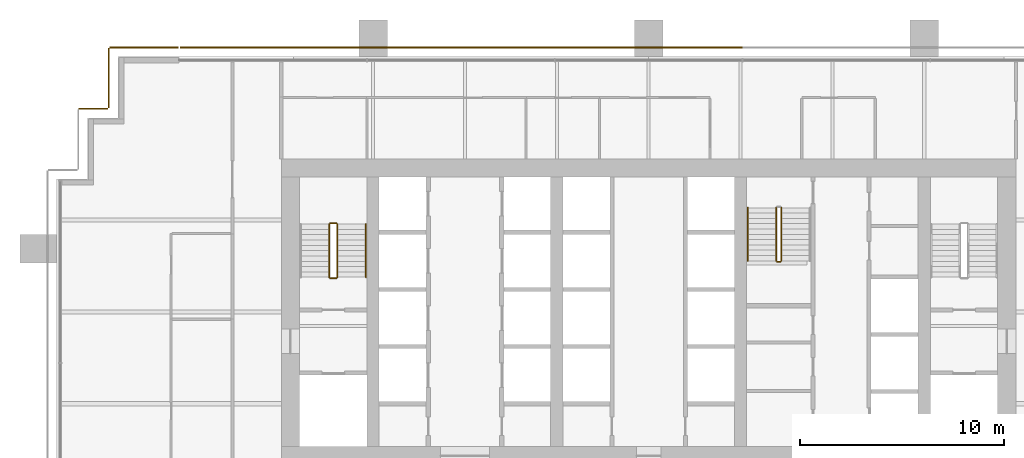
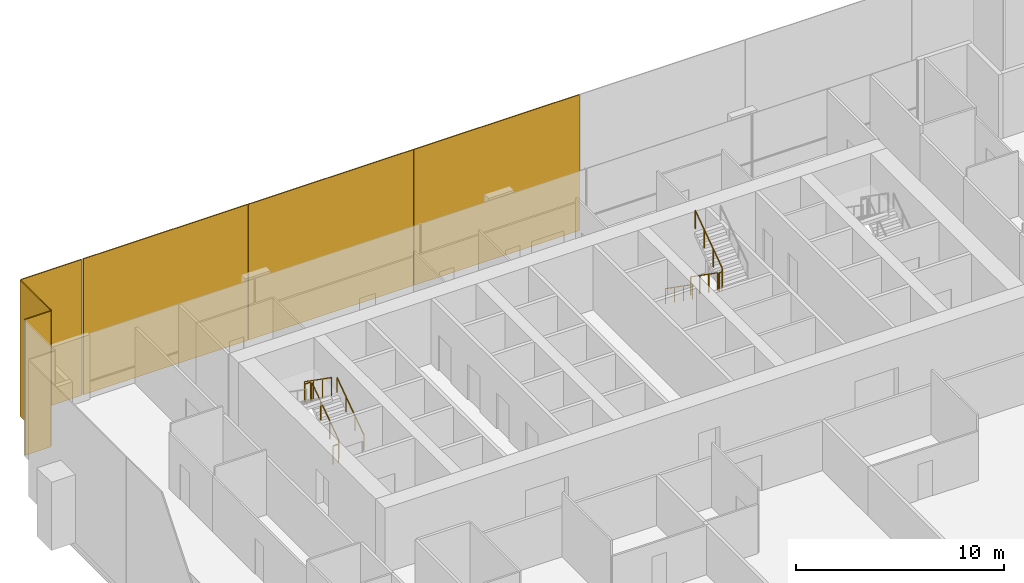
# One storey, part 16 of 17: 9 railings, 6 coverings.
"""IFC4 building model written with IfcOpenShell, lengths in metres."""

from ifc_helpers import new_model, si_unit, direction, frame, origin, origin_2d, place, context, subcontext, project, spatial, rectangle, extrude, material, layer, layer_set, type_object, element, save


model = new_model("IFC4")

# Units and contexts
model_context = context("Model", 3, precision=1e-05, world=origin(), true_north=direction((0.0, 1.0)))
body_context = subcontext(model_context, "Body", "Model", "MODEL_VIEW")
ifc_project = project(units=[si_unit("LENGTHUNIT", "METRE"), si_unit("AREAUNIT", "SQUARE_METRE"), si_unit("VOLUMEUNIT", "CUBIC_METRE"), si_unit("PLANEANGLEUNIT", "RADIAN"), si_unit("MASSUNIT", "GRAM", prefix="KILO")], contexts=[model_context])

# Site, building, storey
site_placement = place(None, origin())
site = spatial("IfcSite", under=ifc_project, at=site_placement, CompositionType="ELEMENT")
building_placement = place(site_placement, origin())
building = spatial("IfcBuilding", under=site, at=building_placement, Name="Rattan Terrace Tower", CompositionType="ELEMENT")
storey_placement = place(building_placement, frame((0.0, 0.0, 138.10009765625)))
storey = spatial("IfcBuildingStorey", under=building, at=storey_placement, Name="L31", CompositionType="ELEMENT", Elevation=138.10009765625)

# Railings
ifc_material_1 = material(Name="Powder-coated steel guard", Category="steel")
railing_type_1 = type_object("IfcRailingType", Name="Core stair guard", PredefinedType="GUARDRAIL", material=ifc_material_1)
railing_1_placement = place(storey_placement, frame((-15.25, 1.699951171875, 0.181640625)))
element("IfcRailing", 1, at=railing_1_placement, inside=storey, type_object=railing_type_1, Name="L31 S1 stair guard 1", PredefinedType="GUARDRAIL", context=body_context, shape_type="SweptSolid", body=[
    extrude(rectangle(XDim=0.048095703125, YDim=0.048095703125, at=origin_2d()), frame((0.0, 0.0, 1.076171875), z_axis=(0.0, 0.819484887739, 0.573100792852), x_axis=(-1.0, 0.0, 0.0)), (0.0, 0.0, 1.0), 3.1728515625),
    extrude(rectangle(XDim=0.0419921875, YDim=0.0419921875, at=origin_2d()), origin(), (0.0, 0.0, 1.0), 1.052001953125),
    extrude(rectangle(XDim=0.0419921875, YDim=0.0419921875, at=origin_2d()), frame((0.0, 0.86669921875, 0.606201171875)), (0.0, 0.0, 1.0), 1.052001953125),
    extrude(rectangle(XDim=0.0419921875, YDim=0.0419921875, at=origin_2d()), frame((0.0, 1.7333984375, 1.212158203125)), (0.0, 0.0, 1.0), 1.052001953125),
    extrude(rectangle(XDim=0.0419921875, YDim=0.0419921875, at=origin_2d()), frame((0.0, 2.60009765625, 1.818359375)), (0.0, 0.0, 1.0), 1.052001953125),
])
railing_2_placement = place(storey_placement, frame((-15.300048828125, 4.35009765625, 2.0)))
element("IfcRailing", 2, at=railing_2_placement, inside=storey, type_object=railing_type_1, Name="L31 S1 stair guard 2", PredefinedType="GUARDRAIL", context=body_context, shape_type="SweptSolid", body=[
    extrude(rectangle(XDim=0.048095703125, YDim=0.048095703125, at=origin_2d()), frame((0.0, 0.0, 1.076171875), z_axis=(-1.0, 0.0, 0.0), x_axis=(0.0, -1.0, 0.0)), (0.0, 0.0, 1.0), 0.300048828125),
    extrude(rectangle(XDim=0.0419921875, YDim=0.0419921875, at=origin_2d()), origin(), (0.0, 0.0, 1.0), 1.052001953125),
    extrude(rectangle(XDim=0.0419921875, YDim=0.0419921875, at=origin_2d()), frame((-0.300048828125, 0.0, 0.0)), (0.0, 0.0, 1.0), 1.052001953125),
])
railing_3_placement = place(storey_placement, frame((-15.64990234375, 4.300048828125, 2.181640625)))
element("IfcRailing", 3, at=railing_3_placement, inside=storey, type_object=railing_type_1, Name="L31 S1 stair guard 3", PredefinedType="GUARDRAIL", context=body_context, shape_type="SweptSolid", body=[
    extrude(rectangle(XDim=0.048095703125, YDim=0.048095703125, at=origin_2d()), frame((0.0, 0.0, 1.076171875), z_axis=(0.0, -0.819484887739, 0.573100792852), x_axis=(1.0, 0.0, 0.0)), (0.0, 0.0, 1.0), 3.1728515625),
    extrude(rectangle(XDim=0.0419921875, YDim=0.0419921875, at=origin_2d()), origin(), (0.0, 0.0, 1.0), 1.052001953125),
    extrude(rectangle(XDim=0.0419921875, YDim=0.0419921875, at=origin_2d()), frame((0.0, -0.86669921875, 0.606201171875)), (0.0, 0.0, 1.0), 1.052001953125),
    extrude(rectangle(XDim=0.0419921875, YDim=0.0419921875, at=origin_2d()), frame((0.0, -1.7333984375, 1.212158203125)), (0.0, 0.0, 1.0), 1.052001953125),
    extrude(rectangle(XDim=0.0419921875, YDim=0.0419921875, at=origin_2d()), frame((0.0, -2.60009765625, 1.818359375)), (0.0, 0.0, 1.0), 1.052001953125),
])
railing_4_placement = place(storey_placement, frame((-15.300048828125, 1.64990234375, 0.0)))
element("IfcRailing", 4, at=railing_4_placement, inside=storey, type_object=railing_type_1, Name="L31 S1 stair guard 4", PredefinedType="GUARDRAIL", context=body_context, shape_type="SweptSolid", body=[
    extrude(rectangle(XDim=0.048095703125, YDim=0.048095703125, at=origin_2d()), frame((0.0, 0.0, 1.076171875), z_axis=(-1.0, 0.0, 0.0), x_axis=(0.0, -1.0, 0.0)), (0.0, 0.0, 1.0), 0.300048828125),
    extrude(rectangle(XDim=0.0419921875, YDim=0.0419921875, at=origin_2d()), origin(), (0.0, 0.0, 1.0), 1.052001953125),
    extrude(rectangle(XDim=0.0419921875, YDim=0.0419921875, at=origin_2d()), frame((-0.300048828125, 0.0, 0.0)), (0.0, 0.0, 1.0), 1.052001953125),
])
railing_5_placement = place(storey_placement, frame((6.25, 5.10009765625, 0.181640625)))
element("IfcRailing", 5, at=railing_5_placement, inside=storey, type_object=railing_type_1, Name="L31 S3 stair guard 1", PredefinedType="GUARDRAIL", context=body_context, shape_type="SweptSolid", body=[
    extrude(rectangle(XDim=0.048095703125, YDim=0.048095703125, at=origin_2d()), frame((0.0, 0.0, 1.076171875), z_axis=(0.0, -0.819484887739, 0.573100792852), x_axis=(1.0, 0.0, 0.0)), (0.0, 0.0, 1.0), 3.1728515625),
    extrude(rectangle(XDim=0.0419921875, YDim=0.0419921875, at=origin_2d()), origin(), (0.0, 0.0, 1.0), 1.052001953125),
    extrude(rectangle(XDim=0.0419921875, YDim=0.0419921875, at=origin_2d()), frame((0.0, -0.86669921875, 0.606201171875)), (0.0, 0.0, 1.0), 1.052001953125),
    extrude(rectangle(XDim=0.0419921875, YDim=0.0419921875, at=origin_2d()), frame((0.0, -1.7333984375, 1.212158203125)), (0.0, 0.0, 1.0), 1.052001953125),
    extrude(rectangle(XDim=0.0419921875, YDim=0.0419921875, at=origin_2d()), frame((0.0, -2.60009765625, 1.818359375)), (0.0, 0.0, 1.0), 1.052001953125),
])
railing_6_placement = place(storey_placement, frame((6.300048828125, 2.449951171875, 2.0)))
element("IfcRailing", 6, at=railing_6_placement, inside=storey, type_object=railing_type_1, Name="L31 S3 stair guard 2", PredefinedType="GUARDRAIL", context=body_context, shape_type="SweptSolid", body=[
    extrude(rectangle(XDim=0.048095703125, YDim=0.048095703125, at=origin_2d()), frame((0.0, 0.0, 1.076171875), z_axis=(1.0, 0.0, 0.0), x_axis=(0.0, 1.0, 0.0)), (0.0, 0.0, 1.0), 0.14990234375),
    extrude(rectangle(XDim=0.0419921875, YDim=0.0419921875, at=origin_2d()), origin(), (0.0, 0.0, 1.0), 1.052001953125),
    extrude(rectangle(XDim=0.0419921875, YDim=0.0419921875, at=origin_2d()), frame((0.14990234375, 0.0, 0.0)), (0.0, 0.0, 1.0), 1.052001953125),
])
railing_7_placement = place(storey_placement, frame((6.5, 2.5, 2.181640625)))
element("IfcRailing", 7, at=railing_7_placement, inside=storey, type_object=railing_type_1, Name="L31 S3 stair guard 3", PredefinedType="GUARDRAIL", context=body_context, shape_type="SweptSolid", body=[
    extrude(rectangle(XDim=0.048095703125, YDim=0.048095703125, at=origin_2d()), frame((0.0, 0.0, 1.076171875), z_axis=(0.0, 0.819484887739, 0.573100792852), x_axis=(-1.0, 0.0, 0.0)), (0.0, 0.0, 1.0), 3.1728515625),
    extrude(rectangle(XDim=0.0419921875, YDim=0.0419921875, at=origin_2d()), origin(), (0.0, 0.0, 1.0), 1.052001953125),
    extrude(rectangle(XDim=0.0419921875, YDim=0.0419921875, at=origin_2d()), frame((0.0, 0.86669921875, 0.606201171875)), (0.0, 0.0, 1.0), 1.052001953125),
    extrude(rectangle(XDim=0.0419921875, YDim=0.0419921875, at=origin_2d()), frame((0.0, 1.7333984375, 1.212158203125)), (0.0, 0.0, 1.0), 1.052001953125),
    extrude(rectangle(XDim=0.0419921875, YDim=0.0419921875, at=origin_2d()), frame((0.0, 2.60009765625, 1.818359375)), (0.0, 0.0, 1.0), 1.052001953125),
])
ifc_material_2 = material(Name="Powder-coated steel handrail", Category="steel")
railing_type_2 = type_object("IfcRailingType", Name="Core stair handrail", PredefinedType="HANDRAIL", material=ifc_material_2)
railing_8_placement = place(storey_placement, frame((-13.85009765625, 1.699951171875, 0.181640625)))
element("IfcRailing", 8, at=railing_8_placement, inside=storey, type_object=railing_type_2, Name="L31 S1 stair handrail 1", PredefinedType="HANDRAIL", context=body_context, shape_type="SweptSolid", body=[
    extrude(rectangle(XDim=0.048095703125, YDim=0.048095703125, at=origin_2d()), frame((0.0, 0.0, 0.8759765625), z_axis=(0.0, 0.819484887739, 0.573100792852), x_axis=(-1.0, 0.0, 0.0)), (0.0, 0.0, 1.0), 3.1728515625),
    extrude(rectangle(XDim=0.0419921875, YDim=0.0419921875, at=origin_2d()), origin(), (0.0, 0.0, 1.0), 0.851806640625),
    extrude(rectangle(XDim=0.0419921875, YDim=0.0419921875, at=origin_2d()), frame((0.0, 0.86669921875, 0.606201171875)), (0.0, 0.0, 1.0), 0.851806640625),
    extrude(rectangle(XDim=0.0419921875, YDim=0.0419921875, at=origin_2d()), frame((0.0, 1.7333984375, 1.212158203125)), (0.0, 0.0, 1.0), 0.851806640625),
    extrude(rectangle(XDim=0.0419921875, YDim=0.0419921875, at=origin_2d()), frame((0.0, 2.60009765625, 1.818359375)), (0.0, 0.0, 1.0), 0.851806640625),
])
railing_9_placement = place(storey_placement, frame((4.85009765625, 5.10009765625, 0.181640625)))
element("IfcRailing", 9, at=railing_9_placement, inside=storey, type_object=railing_type_2, Name="L31 S3 stair handrail 1", PredefinedType="HANDRAIL", context=body_context, shape_type="SweptSolid", body=[
    extrude(rectangle(XDim=0.048095703125, YDim=0.048095703125, at=origin_2d()), frame((0.0, 0.0, 0.8759765625), z_axis=(0.0, -0.819484887739, 0.573100792852), x_axis=(1.0, 0.0, 0.0)), (0.0, 0.0, 1.0), 3.1728515625),
    extrude(rectangle(XDim=0.0419921875, YDim=0.0419921875, at=origin_2d()), origin(), (0.0, 0.0, 1.0), 0.851806640625),
    extrude(rectangle(XDim=0.0419921875, YDim=0.0419921875, at=origin_2d()), frame((0.0, -0.86669921875, 0.606201171875)), (0.0, 0.0, 1.0), 0.851806640625),
    extrude(rectangle(XDim=0.0419921875, YDim=0.0419921875, at=origin_2d()), frame((0.0, -1.7333984375, 1.212158203125)), (0.0, 0.0, 1.0), 0.851806640625),
    extrude(rectangle(XDim=0.0419921875, YDim=0.0419921875, at=origin_2d()), frame((0.0, -2.60009765625, 1.818359375)), (0.0, 0.0, 1.0), 0.851806640625),
])

# Coverings
ifc_material_3 = material(Name="Perforated terracotta", Category="masonry")
ifc_layer = layer(ifc_material_3, 0.06005859375)
ifc_layer_set = layer_set([ifc_layer], Name="Facade Terracotta Screen Panel")
covering_type = type_object("IfcCoveringType", Name="Facade Terracotta Screen Panel", PredefinedType="CLADDING", material=ifc_layer_set)
for number, where, z_axis, x_axis, name in (
    (10, (-0.00244140625, 12.949951171875, -0.190185546875), (0.0, 0.0, 1.0), (-1.0, 0.0, 0.0), "OUTER SKIN panel L31-17"),
    (11, (-9.20361328125, 12.949951171875, -0.190185546875), (0.0, 0.0, 1.0), (-1.0, 0.0, 0.0), "OUTER SKIN panel L31-18"),
):
    element("IfcCovering", number, at=place(storey_placement, frame(where, z_axis=z_axis, x_axis=x_axis)), inside=storey, type_object=covering_type, Name=name, PredefinedType="CLADDING", context=body_context, shape_type="SweptSolid", body=[
        extrude(rectangle(XDim=9.180908203125, YDim=0.06005859375, at=origin_2d()), origin(), (0.0, 0.0, 1.0), 7.97998046875),
    ])
covering_1_placement = place(storey_placement, frame((-18.386962890625, 12.949951171875, -0.190185546875), z_axis=(0.0, 0.0, 1.0), x_axis=(-1.0, 0.0, 0.0)))
element("IfcCovering", 12, at=covering_1_placement, inside=storey, type_object=covering_type, Name="OUTER SKIN panel L31-19", PredefinedType="CLADDING", context=body_context, shape_type="SweptSolid", body=[
    extrude(rectangle(XDim=9.14599609375, YDim=0.06005859375, at=origin_2d()), origin(), (0.0, 0.0, 1.0), 7.97998046875),
])
covering_2_placement = place(storey_placement, frame((-24.72509765625, 12.949951171875, -0.190185546875), z_axis=(0.0, 0.0, 1.0), x_axis=(-1.0, 0.0, 0.0)))
element("IfcCovering", 13, at=covering_2_placement, inside=storey, type_object=covering_type, Name="OUTER SKIN panel L31-20", PredefinedType="CLADDING", context=body_context, shape_type="SweptSolid", body=[
    extrude(rectangle(XDim=3.3701171875, YDim=0.06005859375, at=origin_2d()), origin(), (0.0, 0.0, 1.0), 7.97998046875),
])
covering_3_placement = place(storey_placement, frame((-26.449951171875, 11.449951171875, -0.190185546875), z_axis=(0.0, 0.0, 1.0), x_axis=(0.0, -1.0, 0.0)))
element("IfcCovering", 14, at=covering_3_placement, inside=storey, type_object=covering_type, Name="OUTER SKIN panel L31-21", PredefinedType="CLADDING", context=body_context, shape_type="SweptSolid", body=[
    extrude(rectangle(XDim=2.919921875, YDim=0.06005859375, at=origin_2d()), origin(), (0.0, 0.0, 1.0), 7.97998046875),
])
covering_4_placement = place(storey_placement, frame((-27.199951171875, 9.949951171875, -0.190185546875), z_axis=(0.0, 0.0, 1.0), x_axis=(-1.0, 0.0, 0.0)))
element("IfcCovering", 15, at=covering_4_placement, inside=storey, type_object=covering_type, Name="OUTER SKIN panel L31-22", PredefinedType="CLADDING", context=body_context, shape_type="SweptSolid", body=[
    extrude(rectangle(XDim=1.419921875, YDim=0.06005859375, at=origin_2d()), origin(), (0.0, 0.0, 1.0), 7.97998046875),
])

save(model, "model.ifc")
